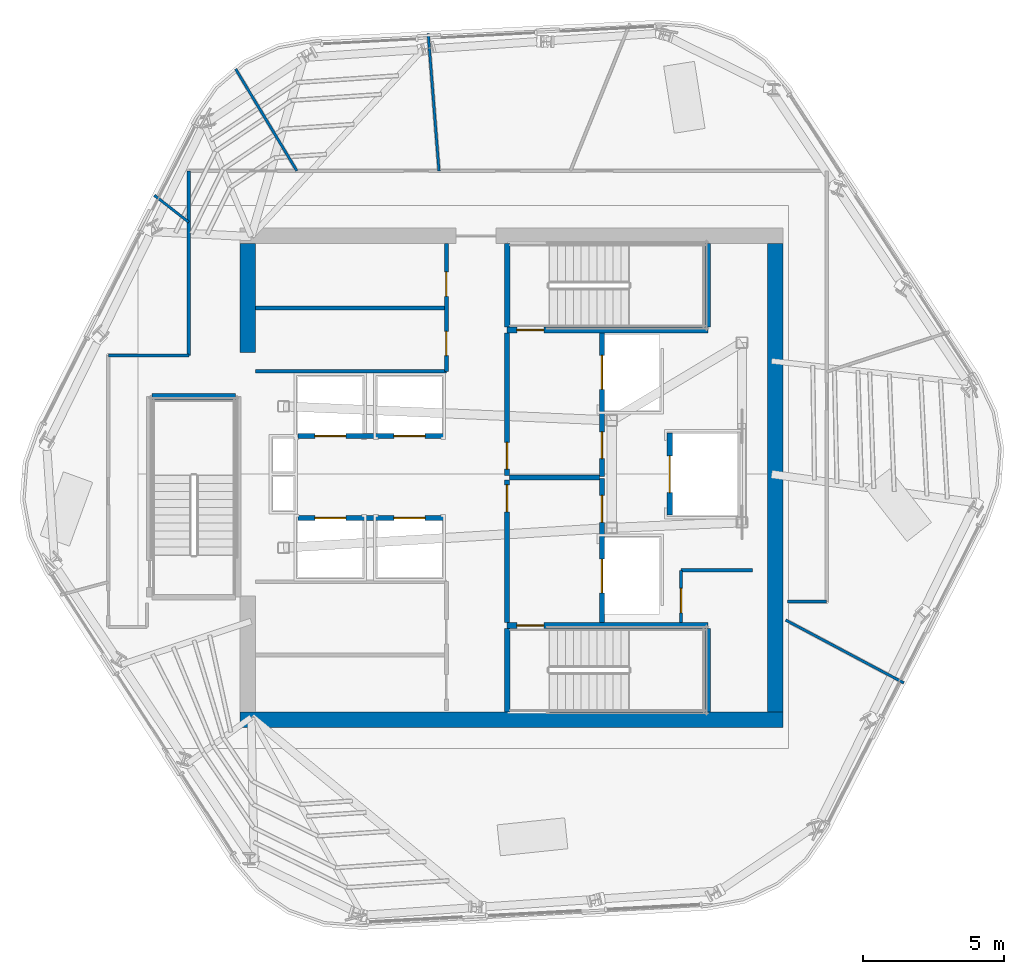
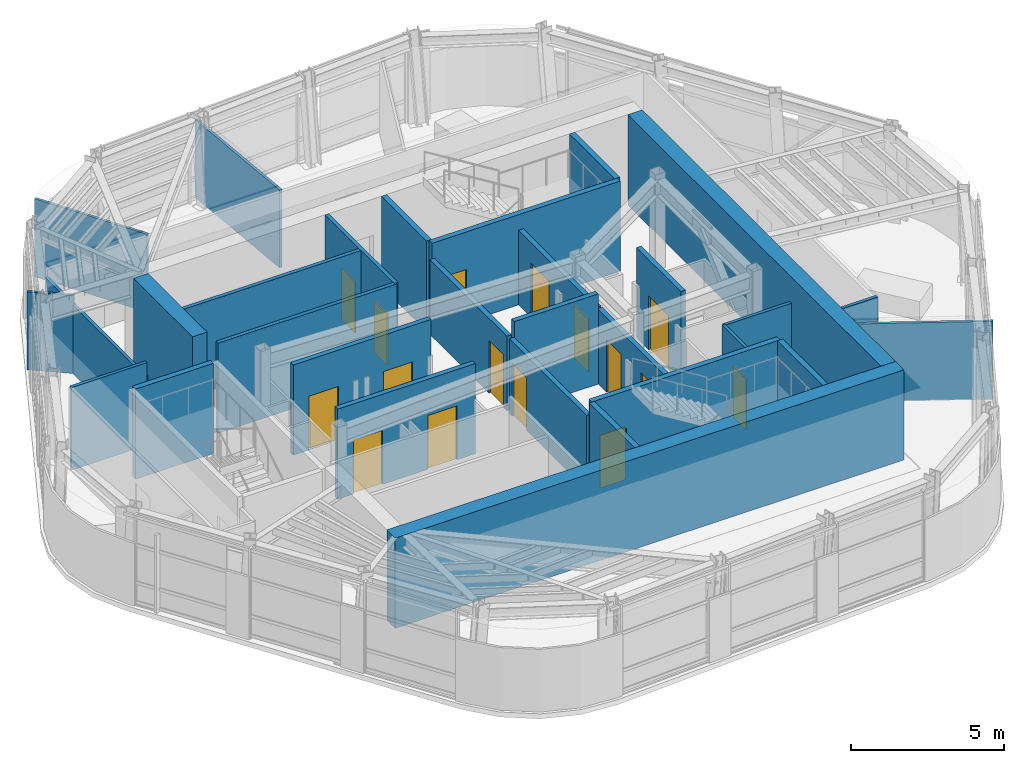
# One storey, part 7 of 13: 30 walls, 16 doors, 16 openings.
"""IFC4 building model written with IfcOpenShell, lengths in metres."""

from ifc_helpers import new_model, si_unit, direction, frame, frame_2d, origin, place, context, subcontext, project, spatial, rectangle, extrude, material, layer, layer_set, type_object, element, fill, save


model = new_model("IFC4")

# Units and contexts
model_context = context("Model", 3, precision=1e-05, world=origin(), true_north=direction((0.0, 1.0)))
body_context = subcontext(model_context, "Body", "Model", "MODEL_VIEW")
ifc_project = project(units=[si_unit("LENGTHUNIT", "METRE"), si_unit("AREAUNIT", "SQUARE_METRE"), si_unit("VOLUMEUNIT", "CUBIC_METRE"), si_unit("PLANEANGLEUNIT", "RADIAN"), si_unit("MASSUNIT", "GRAM", prefix="KILO")], contexts=[model_context])

# Site, building, storey
site_placement = place(None, origin())
site = spatial("IfcSite", under=ifc_project, at=site_placement, CompositionType="ELEMENT")
building_placement = place(site_placement, origin())
building = spatial("IfcBuilding", under=site, at=building_placement, Name="Valkerne Bourse Tower", CompositionType="ELEMENT")
storey_placement = place(building_placement, frame((0.0, 0.0, 296.39990234375)))
storey = spatial("IfcBuildingStorey", under=building, at=storey_placement, Name="L75", CompositionType="ELEMENT", Elevation=296.39990234375)

# Walls
ifc_material_1 = material(Name="Concrete C55/67", Category="concrete")
ifc_layer_1 = layer(ifc_material_1, 0.550048828125)
ifc_layer_set_1 = layer_set([ifc_layer_1], Name="Concrete C55/67")
wall_type_1 = type_object("IfcWallType", Name="W-CORE-550", PredefinedType="SHEAR", material=ifc_layer_set_1)
wall_1_placement = place(storey_placement, frame((37.199951171875, 18.324951171875, 0.0), z_axis=(0.0, 0.0, 1.0), x_axis=(1.0, 0.0, 0.0)))
element("IfcWall", 1, at=wall_1_placement, inside=storey, type_object=wall_type_1, Name="L75 Core Shear Wall SOUTH", PredefinedType="SHEAR", context=body_context, shape_type="SweptSolid", body=[
    extrude(rectangle(XDim=19.199951171875, YDim=0.550048828125, at=frame_2d((9.60009765625, 0.0))), origin(), (0.0, 0.0, 1.0), 3.60009765625),
])
wall_2_placement = place(storey_placement, frame((56.125, 18.60009765625, 0.0), z_axis=(0.0, 0.0, 1.0), x_axis=(0.0, 1.0, 0.0)))
element("IfcWall", 2, at=wall_2_placement, inside=storey, type_object=wall_type_1, Name="L75 Core Shear Wall EAST", PredefinedType="SHEAR", context=body_context, shape_type="SweptSolid", body=[
    extrude(rectangle(XDim=16.5498046875, YDim=0.550048828125, at=frame_2d((8.27490234375, 0.0))), origin(), (0.0, 0.0, 1.0), 3.60009765625),
])
wall_3_placement = place(storey_placement, frame((37.47509765625, 31.300048828125, 0.0), z_axis=(0.0, 0.0, 1.0), x_axis=(0.0, 1.0, 0.0)))
element("IfcWall", 3, at=wall_3_placement, inside=storey, type_object=wall_type_1, Name="L75 Core Shear Wall WEST-N", PredefinedType="SHEAR", context=body_context, shape_type="SweptSolid", body=[
    extrude(rectangle(XDim=3.849853515625, YDim=0.550048828125, at=frame_2d((1.9248046875, 0.0))), origin(), (0.0, 0.0, 1.0), 3.60009765625),
])

# Wall, opening, door
ifc_material_2 = material(Name="Gypsum Board Steel-Stud Partition", Category="steel")
ifc_layer_2 = layer(ifc_material_2, 0.117919921875)
ifc_layer_set_2 = layer_set([ifc_layer_2], Name="Gypsum Board Steel-Stud Partition")
wall_type_2 = type_object("IfcWallType", Name="W-CORR-140", PredefinedType="PARTITIONING", material=ifc_layer_set_2)
wall_4_placement = place(storey_placement, frame((52.800048828125, 21.75, 0.0), z_axis=(0.0, 0.0, 1.0), x_axis=(0.0, 1.0, 0.0)))
wall_4 = element("IfcWall", 4, at=wall_4_placement, inside=storey, type_object=wall_type_2, Name="L75 Core SE South-Bay West Wall", PredefinedType="PARTITIONING", context=body_context, shape_type="SweptSolid", body=[
    extrude(rectangle(XDim=1.85009765625, YDim=0.117919921875, at=frame_2d((0.925048828125, 0.0))), origin(), (0.0, 0.0, 1.0), 3.300048828125),
])
opening_1_placement = place(wall_4_placement, frame((0.35009765625, 0.0, 0.0)))
opening_1 = element("IfcOpeningElement", 5, at=opening_1_placement, cuts=wall_4, Name="Opening D-WC-900", PredefinedType="OPENING", context=body_context, shape_type="SweptSolid", body=[
    extrude(rectangle(XDim=0.860107421875, YDim=2.050048828125, at=frame_2d((0.43017578125, 1.02490234375))), frame((0.0, 0.06884765625, 0.0), z_axis=(0.0, -1.0, 0.0), x_axis=(1.0, 0.0, 0.0)), (0.0, 0.0, 1.0), 0.137939453125),
])
ifc_material_3 = material(Name="Architectural White Oak Timber", Category="wood")
door_type_1 = type_object("IfcDoorType", Name="DR-WC-900", OperationType="NOTDEFINED", PredefinedType="DOOR", material=ifc_material_3)
door_1_placement = place(opening_1_placement, origin())
door_1 = element("IfcDoor", 6, at=door_1_placement, inside=storey, type_object=door_type_1, Name="L75 Janitor Store Door", OperationType="SINGLE_SWING_LEFT", OverallHeight=2.050048828125, OverallWidth=0.860107421875, PredefinedType="DOOR", context=body_context, shape_type="SweptSolid", body=[
    extrude(rectangle(XDim=0.860107421875, YDim=2.050048828125, at=frame_2d((0.43017578125, 1.02490234375))), frame((0.0, 0.02490234375, 0.0), z_axis=(0.0, -1.0, 0.0), x_axis=(1.0, 0.0, 0.0)), (0.0, 0.0, 1.0), 0.050048828125),
])
fill(opening_1, door_1)

# Walls
wall_5_placement = place(storey_placement, frame((52.800048828125, 23.60009765625, 0.0), z_axis=(0.0, 0.0, 1.0), x_axis=(1.0, 0.0, 0.0)))
element("IfcWall", 7, at=wall_5_placement, inside=storey, type_object=wall_type_2, Name="L75 Core SE South-Bay North Wall", PredefinedType="PARTITIONING", context=body_context, shape_type="SweptSolid", body=[
    extrude(rectangle(XDim=2.52001953125, YDim=0.117919921875, at=frame_2d((1.260009765625, 0.0))), origin(), (0.0, 0.0, 1.0), 3.300048828125),
])
wall_6_placement = place(storey_placement, frame((35.39990234375, 31.199951171875, 0.0), z_axis=(0.0, 0.0, 1.0), x_axis=(0.0, 1.0, 0.0)))
element("IfcWall", 8, at=wall_6_placement, inside=storey, type_object=wall_type_2, Name="L75 Corridor Enclosure Wall", PredefinedType="PARTITIONING", context=body_context, shape_type="SweptSolid", body=[
    extrude(rectangle(XDim=6.52001953125, YDim=0.117919921875, at=frame_2d((3.260009765625, 0.0))), origin(), (0.0, 0.0, 1.0), 2.7314453125),
])
wall_7_placement = place(storey_placement, frame((57.949951171875, 22.5, 0.0), z_axis=(0.0, 0.0, 1.0), x_axis=(-1.0, 0.0, 0.0)))
element("IfcWall", 9, at=wall_7_placement, inside=storey, type_object=wall_type_2, Name="L75 Corridor Enclosure Wall", PredefinedType="PARTITIONING", context=body_context, shape_type="SweptSolid", body=[
    extrude(rectangle(XDim=1.389892578125, YDim=0.117919921875, at=frame_2d((0.69482421875, 0.0))), origin(), (0.0, 0.0, 1.0), 3.300048828125),
])
wall_8_placement = place(storey_placement, frame((32.550048828125, 31.199951171875, 0.0), z_axis=(0.0, 0.0, 1.0), x_axis=(1.0, 0.0, 0.0)))
element("IfcWall", 10, at=wall_8_placement, inside=storey, type_object=wall_type_2, Name="L75 Corridor Enclosure Wall", PredefinedType="PARTITIONING", context=body_context, shape_type="SweptSolid", body=[
    extrude(rectangle(XDim=2.849853515625, YDim=0.117919921875, at=frame_2d((1.4248046875, 0.0))), origin(), (0.0, 0.0, 1.0), 3.300048828125),
])
ifc_material_4 = material(Name="Gypsum Fire-Rated Shaftwall", Category="gypsum")
ifc_layer_3 = layer(ifc_material_4, 0.179931640625)
ifc_layer_set_3 = layer_set([ifc_layer_3], Name="Gypsum Fire-Rated Shaftwall")
wall_type_3 = type_object("IfcWallType", Name="W-FSAE-180", PredefinedType="PARTITIONING", material=ifc_layer_set_3)
wall_9_placement = place(storey_placement, frame((46.739990234375, 26.8798828125, 0.0), z_axis=(0.0, 0.0, 1.0), x_axis=(1.0, 0.0, 0.0)))
element("IfcWall", 11, at=wall_9_placement, inside=storey, type_object=wall_type_3, Name="L75 FSAE-1/2 Lobby Dividing Fire Wall", PredefinedType="PARTITIONING", context=body_context, shape_type="SweptSolid", body=[
    extrude(rectangle(XDim=3.169921875, YDim=0.179931640625, at=frame_2d((1.5849609375, 0.0))), origin(), (0.0, 0.0, 1.0), 3.60009765625),
])

# Wall, opening, door
wall_10_placement = place(storey_placement, frame((46.64990234375, 21.75, 0.0), z_axis=(0.0, 0.0, 1.0), x_axis=(0.0, 1.0, 0.0)))
wall_10 = element("IfcWall", 12, at=wall_10_placement, inside=storey, type_object=wall_type_3, Name="L75 FSAE-1 Lobby West Fire Wall", PredefinedType="PARTITIONING", context=body_context, shape_type="SweptSolid", body=[
    extrude(rectangle(XDim=5.050048828125, YDim=0.179931640625, at=frame_2d((2.52490234375, 0.0))), origin(), (0.0, 0.0, 1.0), 2.977783203125),
])
opening_2_placement = place(wall_10_placement, frame((3.919921875, 0.0, 0.0)))
opening_2 = element("IfcOpeningElement", 13, at=opening_2_placement, cuts=wall_10, Name="Opening D-FS-950", PredefinedType="OPENING", context=body_context, shape_type="SweptSolid", body=[
    extrude(rectangle(XDim=0.949951171875, YDim=2.10009765625, at=frame_2d((0.47509765625, 1.050048828125))), frame((0.0, 0.099853515625, 0.0), z_axis=(0.0, -1.0, 0.0), x_axis=(1.0, 0.0, 0.0)), (0.0, 0.0, 1.0), 0.199951171875),
])
ifc_material_5 = material(Name="Galvanised Painted Steel", Category="steel")
door_type_2 = type_object("IfcDoorType", Name="DR-FSAE-950", OperationType="NOTDEFINED", PredefinedType="DOOR", material=ifc_material_5)
door_2_placement = place(opening_2_placement, origin())
door_2 = element("IfcDoor", 14, at=door_2_placement, inside=storey, type_object=door_type_2, Name="L75 FSAE-1 Hall Link Fire Door", OperationType="SINGLE_SWING_RIGHT", OverallHeight=2.10009765625, OverallWidth=0.949951171875, PredefinedType="DOOR", context=body_context, shape_type="SweptSolid", body=[
    extrude(rectangle(XDim=0.949951171875, YDim=2.10009765625, at=frame_2d((0.47509765625, 1.050048828125))), frame((0.0, 0.02490234375, 0.0), z_axis=(0.0, -1.0, 0.0), x_axis=(1.0, 0.0, 0.0)), (0.0, 0.0, 1.0), 0.050048828125),
])
fill(opening_2, door_2)

wall_11_placement = place(storey_placement, frame((46.64990234375, 26.9599609375, 0.0), z_axis=(0.0, 0.0, 1.0), x_axis=(0.0, 1.0, 0.0)))
wall_11 = element("IfcWall", 15, at=wall_11_placement, inside=storey, type_object=wall_type_3, Name="L75 FSAE-2 Lobby West Fire Wall", PredefinedType="PARTITIONING", context=body_context, shape_type="SweptSolid", body=[
    extrude(rectangle(XDim=5.0400390625, YDim=0.179931640625, at=frame_2d((2.52001953125, 0.0))), origin(), (0.0, 0.0, 1.0), 2.977783203125),
])
opening_3_placement = place(wall_11_placement, frame((0.219970703125, 0.0, 0.0)))
opening_3 = element("IfcOpeningElement", 16, at=opening_3_placement, cuts=wall_11, Name="Opening D-FS-950", PredefinedType="OPENING", context=body_context, shape_type="SweptSolid", body=[
    extrude(rectangle(XDim=0.949951171875, YDim=2.10009765625, at=frame_2d((0.47509765625, 1.050048828125))), frame((0.0, 0.099853515625, 0.0), z_axis=(0.0, -1.0, 0.0), x_axis=(1.0, 0.0, 0.0)), (0.0, 0.0, 1.0), 0.199951171875),
])
door_3_placement = place(opening_3_placement, origin())
door_3 = element("IfcDoor", 17, at=door_3_placement, inside=storey, type_object=door_type_2, Name="L75 FSAE-2 Hall Link Fire Door", OperationType="SINGLE_SWING_RIGHT", OverallHeight=2.10009765625, OverallWidth=0.949951171875, PredefinedType="DOOR", context=body_context, shape_type="SweptSolid", body=[
    extrude(rectangle(XDim=0.949951171875, YDim=2.10009765625, at=frame_2d((0.47509765625, 1.050048828125))), frame((0.0, 0.02490234375, 0.0), z_axis=(0.0, -1.0, 0.0), x_axis=(1.0, 0.0, 0.0)), (0.0, 0.0, 1.0), 0.050048828125),
])
fill(opening_3, door_3)

# Wall, openings, doors
wall_12_placement = place(storey_placement, frame((50.0, 21.75, 0.0), z_axis=(0.0, 0.0, 1.0), x_axis=(0.0, 1.0, 0.0)))
wall_12 = element("IfcWall", 18, at=wall_12_placement, inside=storey, type_object=wall_type_3, Name="L75 FSAE-1 Lobby & Shaft Front Wall", PredefinedType="PARTITIONING", context=body_context, shape_type="SweptSolid", body=[
    extrude(rectangle(XDim=5.090087890625, YDim=0.179931640625, at=frame_2d((2.544921875, 0.0))), origin(), (0.0, 0.0, 1.0), 2.977783203125),
])
opening_4_placement = place(wall_12_placement, frame((1.050048828125, 0.0, 0.0)))
opening_4 = element("IfcOpeningElement", 19, at=opening_4_placement, cuts=wall_12, Name="Opening LD-1200", PredefinedType="OPENING", context=body_context, shape_type="SweptSolid", body=[
    extrude(rectangle(XDim=1.199951171875, YDim=2.14990234375, at=frame_2d((0.60009765625, 1.074951171875))), frame((0.0, 0.099853515625, 0.0), z_axis=(0.0, -1.0, 0.0), x_axis=(1.0, 0.0, 0.0)), (0.0, 0.0, 1.0), 0.199951171875),
])
opening_5_placement = place(wall_12_placement, frame((3.550048828125, 0.0, 0.0)))
opening_5 = element("IfcOpeningElement", 20, at=opening_5_placement, cuts=wall_12, Name="Opening D-FS-950", PredefinedType="OPENING", context=body_context, shape_type="SweptSolid", body=[
    extrude(rectangle(XDim=0.949951171875, YDim=2.10009765625, at=frame_2d((0.47509765625, 1.050048828125))), frame((0.0, 0.099853515625, 0.0), z_axis=(0.0, -1.0, 0.0), x_axis=(1.0, 0.0, 0.0)), (0.0, 0.0, 1.0), 0.199951171875),
])
door_4_placement = place(opening_5_placement, origin())
door_4 = element("IfcDoor", 21, at=door_4_placement, inside=storey, type_object=door_type_2, Name="L75 FSAE-1 Lobby Corridor Fire Door", OperationType="SINGLE_SWING_RIGHT", OverallHeight=2.10009765625, OverallWidth=0.949951171875, PredefinedType="DOOR", context=body_context, shape_type="SweptSolid", body=[
    extrude(rectangle(XDim=0.949951171875, YDim=2.10009765625, at=frame_2d((0.47509765625, 1.050048828125))), frame((0.0, 0.02490234375, 0.0), z_axis=(0.0, -1.0, 0.0), x_axis=(1.0, 0.0, 0.0)), (0.0, 0.0, 1.0), 0.050048828125),
])
fill(opening_5, door_4)
ifc_material_6 = material(Name="Stainless Steel AISI 316", Category="steel")
door_type_3 = type_object("IfcDoorType", Name="DR-LIFT-1200", OperationType="DOUBLE_DOOR_SLIDING", PredefinedType="DOOR", material=ifc_material_6)
door_5_placement = place(opening_4_placement, origin())
door_5 = element("IfcDoor", 22, at=door_5_placement, inside=storey, type_object=door_type_3, Name="L75 FSAE-1 Firefighting Lift Landing Door", OperationType="DOUBLE_DOOR_SLIDING", OverallHeight=2.14990234375, OverallWidth=1.199951171875, PredefinedType="DOOR", context=body_context, shape_type="SweptSolid", body=[
    extrude(rectangle(XDim=1.199951171875, YDim=2.14990234375, at=frame_2d((0.60009765625, 1.074951171875))), frame((0.0, 0.02490234375, 0.0), z_axis=(0.0, -1.0, 0.0), x_axis=(1.0, 0.0, 0.0)), (0.0, 0.0, 1.0), 0.050048828125),
])
fill(opening_4, door_5)

wall_13_placement = place(storey_placement, frame((50.0, 26.919921875, 0.0), z_axis=(0.0, 0.0, 1.0), x_axis=(0.0, 1.0, 0.0)))
wall_13 = element("IfcWall", 23, at=wall_13_placement, inside=storey, type_object=wall_type_3, Name="L75 FSAE-2 Lobby & Shaft Front Wall", PredefinedType="PARTITIONING", context=body_context, shape_type="SweptSolid", body=[
    extrude(rectangle(XDim=5.080078125, YDim=0.179931640625, at=frame_2d((2.5400390625, 0.0))), origin(), (0.0, 0.0, 1.0), 2.977783203125),
])
opening_6_placement = place(wall_13_placement, frame((3.080078125, 0.0, 0.0)))
opening_6 = element("IfcOpeningElement", 24, at=opening_6_placement, cuts=wall_13, Name="Opening LD-1200", PredefinedType="OPENING", context=body_context, shape_type="SweptSolid", body=[
    extrude(rectangle(XDim=1.199951171875, YDim=2.14990234375, at=frame_2d((0.60009765625, 1.074951171875))), frame((0.0, 0.099853515625, 0.0), z_axis=(0.0, -1.0, 0.0), x_axis=(1.0, 0.0, 0.0)), (0.0, 0.0, 1.0), 0.199951171875),
])
opening_7_placement = place(wall_13_placement, frame((0.6298828125, 0.0, 0.0)))
opening_7 = element("IfcOpeningElement", 25, at=opening_7_placement, cuts=wall_13, Name="Opening D-FS-950", PredefinedType="OPENING", context=body_context, shape_type="SweptSolid", body=[
    extrude(rectangle(XDim=0.949951171875, YDim=2.10009765625, at=frame_2d((0.47509765625, 1.050048828125))), frame((0.0, 0.099853515625, 0.0), z_axis=(0.0, -1.0, 0.0), x_axis=(1.0, 0.0, 0.0)), (0.0, 0.0, 1.0), 0.199951171875),
])
door_6_placement = place(opening_7_placement, origin())
door_6 = element("IfcDoor", 26, at=door_6_placement, inside=storey, type_object=door_type_2, Name="L75 FSAE-2 Lobby Corridor Fire Door", OperationType="SINGLE_SWING_RIGHT", OverallHeight=2.10009765625, OverallWidth=0.949951171875, PredefinedType="DOOR", context=body_context, shape_type="SweptSolid", body=[
    extrude(rectangle(XDim=0.949951171875, YDim=2.10009765625, at=frame_2d((0.47509765625, 1.050048828125))), frame((0.0, 0.02490234375, 0.0), z_axis=(0.0, -1.0, 0.0), x_axis=(1.0, 0.0, 0.0)), (0.0, 0.0, 1.0), 0.050048828125),
])
fill(opening_7, door_6)
door_7_placement = place(opening_6_placement, origin())
door_7 = element("IfcDoor", 27, at=door_7_placement, inside=storey, type_object=door_type_3, Name="L75 FSAE-2 Firefighting Lift Landing Door", OperationType="DOUBLE_DOOR_SLIDING", OverallHeight=2.14990234375, OverallWidth=1.199951171875, PredefinedType="DOOR", context=body_context, shape_type="SweptSolid", body=[
    extrude(rectangle(XDim=1.199951171875, YDim=2.14990234375, at=frame_2d((0.60009765625, 1.074951171875))), frame((0.0, 0.02490234375, 0.0), z_axis=(0.0, -1.0, 0.0), x_axis=(1.0, 0.0, 0.0)), (0.0, 0.0, 1.0), 0.050048828125),
])
fill(opening_6, door_7)

# Wall, opening, door
ifc_material_7 = material(Name="CMU Blockwork Masonry 200mm", Category="masonry")
ifc_layer_4 = layer(ifc_material_7, 0.179931640625)
ifc_layer_set_4 = layer_set([ifc_layer_4], Name="CMU Blockwork Masonry 200mm")
wall_type_4 = type_object("IfcWallType", Name="W-LFT-180", PredefinedType="SOLIDWALL", material=ifc_layer_set_4)
wall_14_placement = place(storey_placement, frame((52.39990234375, 25.550048828125, 0.0), z_axis=(0.0, 0.0, 1.0), x_axis=(0.0, 1.0, 0.0)))
wall_14 = element("IfcWall", 28, at=wall_14_placement, inside=storey, type_object=wall_type_4, Name="L75 Service Lift SV-1 Front Wall", PredefinedType="SOLIDWALL", context=body_context, shape_type="SweptSolid", body=[
    extrude(rectangle(XDim=2.89990234375, YDim=0.179931640625, at=frame_2d((1.449951171875, 0.0))), origin(), (0.0, 0.0, 1.0), 3.60009765625),
])
opening_8_placement = place(wall_14_placement, frame((0.800048828125, 0.0, 0.0)))
opening_8 = element("IfcOpeningElement", 29, at=opening_8_placement, cuts=wall_14, Name="Opening LD-1300", PredefinedType="OPENING", context=body_context, shape_type="SweptSolid", body=[
    extrude(rectangle(XDim=1.300048828125, YDim=2.14990234375, at=frame_2d((0.64990234375, 1.074951171875))), frame((0.0, 0.099853515625, 0.0), z_axis=(0.0, -1.0, 0.0), x_axis=(1.0, 0.0, 0.0)), (0.0, 0.0, 1.0), 0.199951171875),
])
door_type_4 = type_object("IfcDoorType", Name="DR-LIFT-1300", OperationType="DOUBLE_DOOR_SLIDING", PredefinedType="DOOR", material=ifc_material_6)
door_8_placement = place(opening_8_placement, origin())
door_8 = element("IfcDoor", 30, at=door_8_placement, inside=storey, type_object=door_type_4, Name="L75 Service Lift SV-1 Landing Door", OperationType="DOUBLE_DOOR_SLIDING", OverallHeight=2.14990234375, OverallWidth=1.300048828125, PredefinedType="DOOR", context=body_context, shape_type="SweptSolid", body=[
    extrude(rectangle(XDim=1.300048828125, YDim=2.14990234375, at=frame_2d((0.64990234375, 1.074951171875))), frame((0.0, 0.02490234375, 0.0), z_axis=(0.0, -1.0, 0.0), x_axis=(1.0, 0.0, 0.0)), (0.0, 0.0, 1.0), 0.050048828125),
])
fill(opening_8, door_8)

# Wall, openings, doors
wall_15_placement = place(storey_placement, frame((39.25, 25.449951171875, 0.0), z_axis=(0.0, 0.0, 1.0), x_axis=(1.0, 0.0, 0.0)))
wall_15 = element("IfcWall", 31, at=wall_15_placement, inside=storey, type_object=wall_type_4, Name="L75 High-Zone South Cars Front Wall", PredefinedType="SOLIDWALL", context=body_context, shape_type="SweptSolid", body=[
    extrude(rectangle(XDim=5.199951171875, YDim=0.179931640625, at=frame_2d((2.60009765625, 0.0))), origin(), (0.0, 0.0, 1.0), 3.60009765625),
])
opening_9_placement = place(wall_15_placement, frame((0.60009765625, 0.0, 0.0)))
opening_9 = element("IfcOpeningElement", 32, at=opening_9_placement, cuts=wall_15, Name="Opening LD-1100", PredefinedType="OPENING", context=body_context, shape_type="SweptSolid", body=[
    extrude(rectangle(XDim=1.10009765625, YDim=2.14990234375, at=frame_2d((0.550048828125, 1.074951171875))), frame((0.0, 0.099853515625, 0.0), z_axis=(0.0, -1.0, 0.0), x_axis=(1.0, 0.0, 0.0)), (0.0, 0.0, 1.0), 0.199951171875),
])
opening_10_placement = place(wall_15_placement, frame((3.39990234375, 0.0, 0.0)))
opening_10 = element("IfcOpeningElement", 33, at=opening_10_placement, cuts=wall_15, Name="Opening LD-1100", PredefinedType="OPENING", context=body_context, shape_type="SweptSolid", body=[
    extrude(rectangle(XDim=1.10009765625, YDim=2.14990234375, at=frame_2d((0.550048828125, 1.074951171875))), frame((0.0, 0.099853515625, 0.0), z_axis=(0.0, -1.0, 0.0), x_axis=(1.0, 0.0, 0.0)), (0.0, 0.0, 1.0), 0.199951171875),
])
door_type_5 = type_object("IfcDoorType", Name="DR-LIFT-1100", OperationType="DOUBLE_DOOR_SLIDING", PredefinedType="DOOR", material=ifc_material_6)
door_9_placement = place(opening_9_placement, origin())
door_9 = element("IfcDoor", 34, at=door_9_placement, inside=storey, type_object=door_type_5, Name="L75 Passenger Lift PL-H1 Sliding Landing Door", OperationType="DOUBLE_DOOR_SLIDING", OverallHeight=2.14990234375, OverallWidth=1.10009765625, PredefinedType="DOOR", context=body_context, shape_type="SweptSolid", body=[
    extrude(rectangle(XDim=1.10009765625, YDim=2.14990234375, at=frame_2d((0.550048828125, 1.074951171875))), frame((0.0, 0.02490234375, 0.0), z_axis=(0.0, -1.0, 0.0), x_axis=(1.0, 0.0, 0.0)), (0.0, 0.0, 1.0), 0.050048828125),
])
fill(opening_9, door_9)
door_10_placement = place(opening_10_placement, origin())
door_10 = element("IfcDoor", 35, at=door_10_placement, inside=storey, type_object=door_type_5, Name="L75 Passenger Lift PL-H2 Sliding Landing Door", OperationType="DOUBLE_DOOR_SLIDING", OverallHeight=2.14990234375, OverallWidth=1.10009765625, PredefinedType="DOOR", context=body_context, shape_type="SweptSolid", body=[
    extrude(rectangle(XDim=1.10009765625, YDim=2.14990234375, at=frame_2d((0.550048828125, 1.074951171875))), frame((0.0, 0.02490234375, 0.0), z_axis=(0.0, -1.0, 0.0), x_axis=(1.0, 0.0, 0.0)), (0.0, 0.0, 1.0), 0.050048828125),
])
fill(opening_10, door_10)

wall_16_placement = place(storey_placement, frame((39.25, 28.35009765625, 0.0), z_axis=(0.0, 0.0, 1.0), x_axis=(1.0, 0.0, 0.0)))
wall_16 = element("IfcWall", 36, at=wall_16_placement, inside=storey, type_object=wall_type_4, Name="L75 High-Zone North Cars Front Wall", PredefinedType="SOLIDWALL", context=body_context, shape_type="SweptSolid", body=[
    extrude(rectangle(XDim=5.199951171875, YDim=0.179931640625, at=frame_2d((2.60009765625, 0.0))), origin(), (0.0, 0.0, 1.0), 3.60009765625),
])
opening_11_placement = place(wall_16_placement, frame((0.60009765625, 0.0, 0.0)))
opening_11 = element("IfcOpeningElement", 37, at=opening_11_placement, cuts=wall_16, Name="Opening LD-1100", PredefinedType="OPENING", context=body_context, shape_type="SweptSolid", body=[
    extrude(rectangle(XDim=1.10009765625, YDim=2.14990234375, at=frame_2d((0.550048828125, 1.074951171875))), frame((0.0, 0.099853515625, 0.0), z_axis=(0.0, -1.0, 0.0), x_axis=(1.0, 0.0, 0.0)), (0.0, 0.0, 1.0), 0.199951171875),
])
opening_12_placement = place(wall_16_placement, frame((3.39990234375, 0.0, 0.0)))
opening_12 = element("IfcOpeningElement", 38, at=opening_12_placement, cuts=wall_16, Name="Opening LD-1100", PredefinedType="OPENING", context=body_context, shape_type="SweptSolid", body=[
    extrude(rectangle(XDim=1.10009765625, YDim=2.14990234375, at=frame_2d((0.550048828125, 1.074951171875))), frame((0.0, 0.099853515625, 0.0), z_axis=(0.0, -1.0, 0.0), x_axis=(1.0, 0.0, 0.0)), (0.0, 0.0, 1.0), 0.199951171875),
])
door_11_placement = place(opening_11_placement, origin())
door_11 = element("IfcDoor", 39, at=door_11_placement, inside=storey, type_object=door_type_5, Name="L75 Passenger Lift PL-H3 Sliding Landing Door", OperationType="DOUBLE_DOOR_SLIDING", OverallHeight=2.14990234375, OverallWidth=1.10009765625, PredefinedType="DOOR", context=body_context, shape_type="SweptSolid", body=[
    extrude(rectangle(XDim=1.10009765625, YDim=2.14990234375, at=frame_2d((0.550048828125, 1.074951171875))), frame((0.0, 0.02490234375, 0.0), z_axis=(0.0, -1.0, 0.0), x_axis=(1.0, 0.0, 0.0)), (0.0, 0.0, 1.0), 0.050048828125),
])
fill(opening_11, door_11)
door_12_placement = place(opening_12_placement, origin())
door_12 = element("IfcDoor", 40, at=door_12_placement, inside=storey, type_object=door_type_5, Name="L75 Passenger Lift PL-H4 Sliding Landing Door", OperationType="DOUBLE_DOOR_SLIDING", OverallHeight=2.14990234375, OverallWidth=1.10009765625, PredefinedType="DOOR", context=body_context, shape_type="SweptSolid", body=[
    extrude(rectangle(XDim=1.10009765625, YDim=2.14990234375, at=frame_2d((0.550048828125, 1.074951171875))), frame((0.0, 0.02490234375, 0.0), z_axis=(0.0, -1.0, 0.0), x_axis=(1.0, 0.0, 0.0)), (0.0, 0.0, 1.0), 0.050048828125),
])
fill(opening_12, door_12)

# Walls
ifc_layer_5 = layer(ifc_material_2, 0.092041015625)
ifc_layer_set_5 = layer_set([ifc_layer_5], Name="Gypsum Board Steel-Stud Partition")
wall_type_5 = type_object("IfcWallType", Name="W-PART-115", PredefinedType="PARTITIONING", material=ifc_layer_set_5)
wall_17_placement = place(storey_placement, frame((44.242431640625, 37.72509765625, 0.0), z_axis=(0.0, 0.0, 1.0), x_axis=(-0.078453702644, 0.996917758163, 0.0)))
element("IfcWall", 41, at=wall_17_placement, inside=storey, type_object=wall_type_5, Name="L75 Suite Partition P02", PredefinedType="PARTITIONING", context=body_context, shape_type="SweptSolid", body=[
    extrude(rectangle(XDim=4.87646484375, YDim=0.092041015625, at=frame_2d((2.438232421875, 0.0))), origin(), (0.0, 0.0, 1.0), 3.114990234375),
])
wall_18_placement = place(storey_placement, frame((39.216796875, 37.72509765625, 0.0), z_axis=(0.0, 0.0, 1.0), x_axis=(-0.515042706449, 0.857164517776, 0.0)))
element("IfcWall", 42, at=wall_18_placement, inside=storey, type_object=wall_type_5, Name="L75 Suite Partition P03", PredefinedType="PARTITIONING", context=body_context, shape_type="SweptSolid", body=[
    extrude(rectangle(XDim=4.2001953125, YDim=0.092041015625, at=frame_2d((2.10009765625, 0.0))), origin(), (0.0, 0.0, 1.0), 3.114990234375),
])
wall_19_placement = place(storey_placement, frame((56.5, 21.84228515625, 0.0), z_axis=(0.0, 0.0, 1.0), x_axis=(0.882961210935, -0.469445950014, 0.0)))
element("IfcWall", 43, at=wall_19_placement, inside=storey, type_object=wall_type_5, Name="L75 Suite Partition P04", PredefinedType="PARTITIONING", context=body_context, shape_type="SweptSolid", body=[
    extrude(rectangle(XDim=4.727294921875, YDim=0.092041015625, at=frame_2d((2.36376953125, 0.0))), origin(), (0.0, 0.0, 1.0), 3.114990234375),
])
wall_20_placement = place(storey_placement, frame((35.39501953125, 35.91064453125, 0.0), z_axis=(0.0, 0.0, 1.0), x_axis=(-0.787995585954, 0.615680888543, 0.0)))
element("IfcWall", 44, at=wall_20_placement, inside=storey, type_object=wall_type_5, Name="L75 Suite Partition P06", PredefinedType="PARTITIONING", context=body_context, shape_type="SweptSolid", body=[
    extrude(rectangle(XDim=1.54296875, YDim=0.092041015625, at=frame_2d((0.771484375, 0.0))), origin(), (0.0, 0.0, 1.0), 3.114990234375),
])

# Wall, opening, door
ifc_material_8 = material(Name="Concrete C40/50", Category="concrete")
ifc_layer_6 = layer(ifc_material_8, 0.199951171875)
ifc_layer_set_6 = layer_set([ifc_layer_6], Name="Concrete C40/50")
wall_type_6 = type_object("IfcWallType", Name="W-SHF-200", PredefinedType="SHEAR", material=ifc_layer_set_6)
wall_21_placement = place(storey_placement, frame((46.64990234375, 21.64990234375, 0.0), z_axis=(0.0, 0.0, 1.0), x_axis=(1.0, 0.0, 0.0)))
wall_21 = element("IfcWall", 45, at=wall_21_placement, inside=storey, type_object=wall_type_6, Name="L75 Exit Stair ST-1 Structural Shaft Wall North", PredefinedType="SHEAR", context=body_context, shape_type="SweptSolid", body=[
    extrude(rectangle(XDim=7.10009765625, YDim=0.199951171875, at=frame_2d((3.550048828125, 0.0))), origin(), (0.0, 0.0, 1.0), 3.60009765625),
])
opening_13_placement = place(wall_21_placement, frame((0.35009765625, 0.0, 0.0)))
opening_13 = element("IfcOpeningElement", 46, at=opening_13_placement, cuts=wall_21, Name="Opening D-ST-950", PredefinedType="OPENING", context=body_context, shape_type="SweptSolid", body=[
    extrude(rectangle(XDim=0.949951171875, YDim=2.10009765625, at=frame_2d((0.47509765625, 1.050048828125))), frame((0.0, 0.10986328125, 0.0), z_axis=(0.0, -1.0, 0.0), x_axis=(1.0, 0.0, 0.0)), (0.0, 0.0, 1.0), 0.219970703125),
])
door_type_6 = type_object("IfcDoorType", Name="DR-STAIR-950", OperationType="NOTDEFINED", PredefinedType="DOOR", material=ifc_material_5)
door_13_placement = place(opening_13_placement, origin())
door_13 = element("IfcDoor", 47, at=door_13_placement, inside=storey, type_object=door_type_6, Name="L75 Exit Stair ST-1 Door", OperationType="SINGLE_SWING_RIGHT", OverallHeight=2.10009765625, OverallWidth=0.949951171875, PredefinedType="DOOR", context=body_context, shape_type="SweptSolid", body=[
    extrude(rectangle(XDim=0.949951171875, YDim=2.10009765625, at=frame_2d((0.47509765625, 1.050048828125))), frame((0.0, 0.02490234375, 0.0), z_axis=(0.0, -1.0, 0.0), x_axis=(1.0, 0.0, 0.0)), (0.0, 0.0, 1.0), 0.050048828125),
])
fill(opening_13, door_13)

# Walls
for number, where, z_axis, x_axis, name in (
    (48, (46.64990234375, 18.60009765625, 0.0), (0.0, 0.0, 1.0), (0.0, 1.0, 0.0), "L75 Exit Stair ST-1 Structural Shaft Wall West"),
    (49, (53.75, 18.60009765625, 0.0), (0.0, 0.0, 1.0), (0.0, 1.0, 0.0), "L75 Exit Stair ST-1 Structural Shaft Wall East"),
):
    element("IfcWall", number, at=place(storey_placement, frame(where, z_axis=z_axis, x_axis=x_axis)), inside=storey, type_object=wall_type_6, Name=name, PredefinedType="SHEAR", context=body_context, shape_type="SweptSolid", body=[
        extrude(rectangle(XDim=2.949951171875, YDim=0.199951171875, at=frame_2d((1.47509765625, 0.0))), origin(), (0.0, 0.0, 1.0), 3.60009765625),
    ])

# Wall, opening, door
wall_22_placement = place(storey_placement, frame((46.64990234375, 32.10009765625, 0.0), z_axis=(0.0, 0.0, 1.0), x_axis=(1.0, 0.0, 0.0)))
wall_22 = element("IfcWall", 50, at=wall_22_placement, inside=storey, type_object=wall_type_6, Name="L75 Exit Stair ST-2 Structural Shaft Wall South", PredefinedType="SHEAR", context=body_context, shape_type="SweptSolid", body=[
    extrude(rectangle(XDim=7.10009765625, YDim=0.199951171875, at=frame_2d((3.550048828125, 0.0))), origin(), (0.0, 0.0, 1.0), 3.60009765625),
])
opening_14_placement = place(wall_22_placement, frame((0.35009765625, 0.0, 0.0)))
opening_14 = element("IfcOpeningElement", 51, at=opening_14_placement, cuts=wall_22, Name="Opening D-ST-950", PredefinedType="OPENING", context=body_context, shape_type="SweptSolid", body=[
    extrude(rectangle(XDim=0.949951171875, YDim=2.10009765625, at=frame_2d((0.47509765625, 1.050048828125))), frame((0.0, 0.10986328125, 0.0), z_axis=(0.0, -1.0, 0.0), x_axis=(1.0, 0.0, 0.0)), (0.0, 0.0, 1.0), 0.219970703125),
])
door_14_placement = place(opening_14_placement, origin())
door_14 = element("IfcDoor", 52, at=door_14_placement, inside=storey, type_object=door_type_6, Name="L75 Exit Stair ST-2 Door", OperationType="SINGLE_SWING_RIGHT", OverallHeight=2.10009765625, OverallWidth=0.949951171875, PredefinedType="DOOR", context=body_context, shape_type="SweptSolid", body=[
    extrude(rectangle(XDim=0.949951171875, YDim=2.10009765625, at=frame_2d((0.47509765625, 1.050048828125))), frame((0.0, 0.02490234375, 0.0), z_axis=(0.0, -1.0, 0.0), x_axis=(1.0, 0.0, 0.0)), (0.0, 0.0, 1.0), 0.050048828125),
])
fill(opening_14, door_14)

# Walls
for number, where, z_axis, x_axis, name in (
    (53, (46.64990234375, 32.199951171875, 0.0), (0.0, 0.0, 1.0), (0.0, 1.0, 0.0), "L75 Exit Stair ST-2 Structural Shaft Wall West"),
    (54, (53.75, 32.199951171875, 0.0), (0.0, 0.0, 1.0), (0.0, 1.0, 0.0), "L75 Exit Stair ST-2 Structural Shaft Wall East"),
    (55, (34.10009765625, 29.75, 0.0), (0.0, 0.0, 1.0), (1.0, 0.0, 0.0), "L75 Exit Stair ST-3 Structural Shaft Wall North"),
):
    element("IfcWall", number, at=place(storey_placement, frame(where, z_axis=z_axis, x_axis=x_axis)), inside=storey, type_object=wall_type_6, Name=name, PredefinedType="SHEAR", context=body_context, shape_type="SweptSolid", body=[
        extrude(rectangle(XDim=2.949951171875, YDim=0.199951171875, at=frame_2d((1.47509765625, 0.0))), origin(), (0.0, 0.0, 1.0), 3.60009765625),
    ])

# Wall, openings, doors
ifc_material_9 = material(Name="Moisture-Resistant Gypsum Partition", Category="gypsum")
ifc_layer_7 = layer(ifc_material_9, 0.139892578125)
ifc_layer_set_7 = layer_set([ifc_layer_7], Name="Moisture-Resistant Gypsum Partition")
wall_type_7 = type_object("IfcWallType", Name="W-WET-140", PredefinedType="PARTITIONING", material=ifc_layer_set_7)
wall_23_placement = place(storey_placement, frame((44.5, 30.639892578125, 0.0), z_axis=(0.0, 0.0, 1.0), x_axis=(0.0, 1.0, 0.0)))
wall_23 = element("IfcWall", 56, at=wall_23_placement, inside=storey, type_object=wall_type_7, Name="L75 LV7 Mid-Bank East Wall", PredefinedType="PARTITIONING", context=body_context, shape_type="SweptSolid", body=[
    extrude(rectangle(XDim=4.510009765625, YDim=0.139892578125, at=frame_2d((2.2548828125, 0.0))), origin(), (0.0, 0.0, 1.0), 3.60009765625),
])
opening_15_placement = place(wall_23_placement, frame((0.550048828125, 0.0, 0.0)))
opening_15 = element("IfcOpeningElement", 57, at=opening_15_placement, cuts=wall_23, Name="Opening D-WC-900", PredefinedType="OPENING", context=body_context, shape_type="SweptSolid", body=[
    extrude(rectangle(XDim=0.860107421875, YDim=2.050048828125, at=frame_2d((0.43017578125, 1.02490234375))), frame((0.0, 0.079833984375, 0.0), z_axis=(0.0, -1.0, 0.0), x_axis=(1.0, 0.0, 0.0)), (0.0, 0.0, 1.0), 0.159912109375),
])
opening_16_placement = place(wall_23_placement, frame((2.64990234375, 0.0, 0.0)))
opening_16 = element("IfcOpeningElement", 58, at=opening_16_placement, cuts=wall_23, Name="Opening D-WC-900", PredefinedType="OPENING", context=body_context, shape_type="SweptSolid", body=[
    extrude(rectangle(XDim=0.860107421875, YDim=2.050048828125, at=frame_2d((0.43017578125, 1.02490234375))), frame((0.0, 0.079833984375, 0.0), z_axis=(0.0, -1.0, 0.0), x_axis=(1.0, 0.0, 0.0)), (0.0, 0.0, 1.0), 0.159912109375),
])
door_15_placement = place(opening_15_placement, origin())
door_15 = element("IfcDoor", 59, at=door_15_placement, inside=storey, type_object=door_type_1, Name="L75 Executive Kitchen Door", OperationType="SINGLE_SWING_LEFT", OverallHeight=2.050048828125, OverallWidth=0.860107421875, PredefinedType="DOOR", context=body_context, shape_type="SweptSolid", body=[
    extrude(rectangle(XDim=0.860107421875, YDim=2.050048828125, at=frame_2d((0.43017578125, 1.02490234375))), frame((0.0, 0.02490234375, 0.0), z_axis=(0.0, -1.0, 0.0), x_axis=(1.0, 0.0, 0.0)), (0.0, 0.0, 1.0), 0.050048828125),
])
fill(opening_15, door_15)
door_16_placement = place(opening_16_placement, origin())
door_16 = element("IfcDoor", 60, at=door_16_placement, inside=storey, type_object=door_type_1, Name="L75 Executive Briefing Office Door", OperationType="SINGLE_SWING_LEFT", OverallHeight=2.050048828125, OverallWidth=0.860107421875, PredefinedType="DOOR", context=body_context, shape_type="SweptSolid", body=[
    extrude(rectangle(XDim=0.860107421875, YDim=2.050048828125, at=frame_2d((0.43017578125, 1.02490234375))), frame((0.0, 0.02490234375, 0.0), z_axis=(0.0, -1.0, 0.0), x_axis=(1.0, 0.0, 0.0)), (0.0, 0.0, 1.0), 0.050048828125),
])
fill(opening_16, door_16)

# Walls
for number, where, z_axis, x_axis, name in (
    (61, (37.75, 32.8701171875, 0.0), (0.0, 0.0, 1.0), (1.0, 0.0, 0.0), "L75 LV7 Mid-Bank Sub-Divider"),
    (62, (37.75, 30.639892578125, 0.0), (0.0, 0.0, 1.0), (1.0, 0.0, 0.0), "L75 LV7 Mid-Bank South Wall"),
):
    element("IfcWall", number, at=place(storey_placement, frame(where, z_axis=z_axis, x_axis=x_axis)), inside=storey, type_object=wall_type_7, Name=name, PredefinedType="PARTITIONING", context=body_context, shape_type="SweptSolid", body=[
        extrude(rectangle(XDim=6.75, YDim=0.139892578125, at=frame_2d((3.375, 0.0))), origin(), (0.0, 0.0, 1.0), 3.60009765625),
    ])

save(model, "model.ifc")
